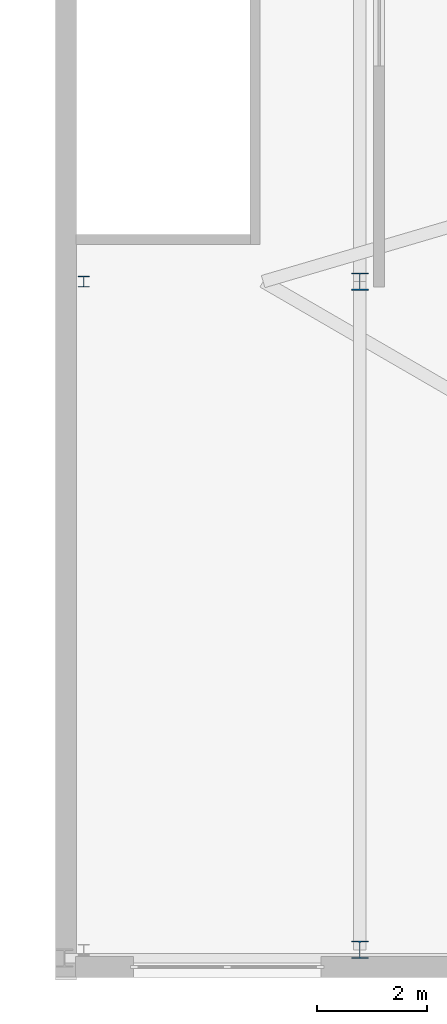
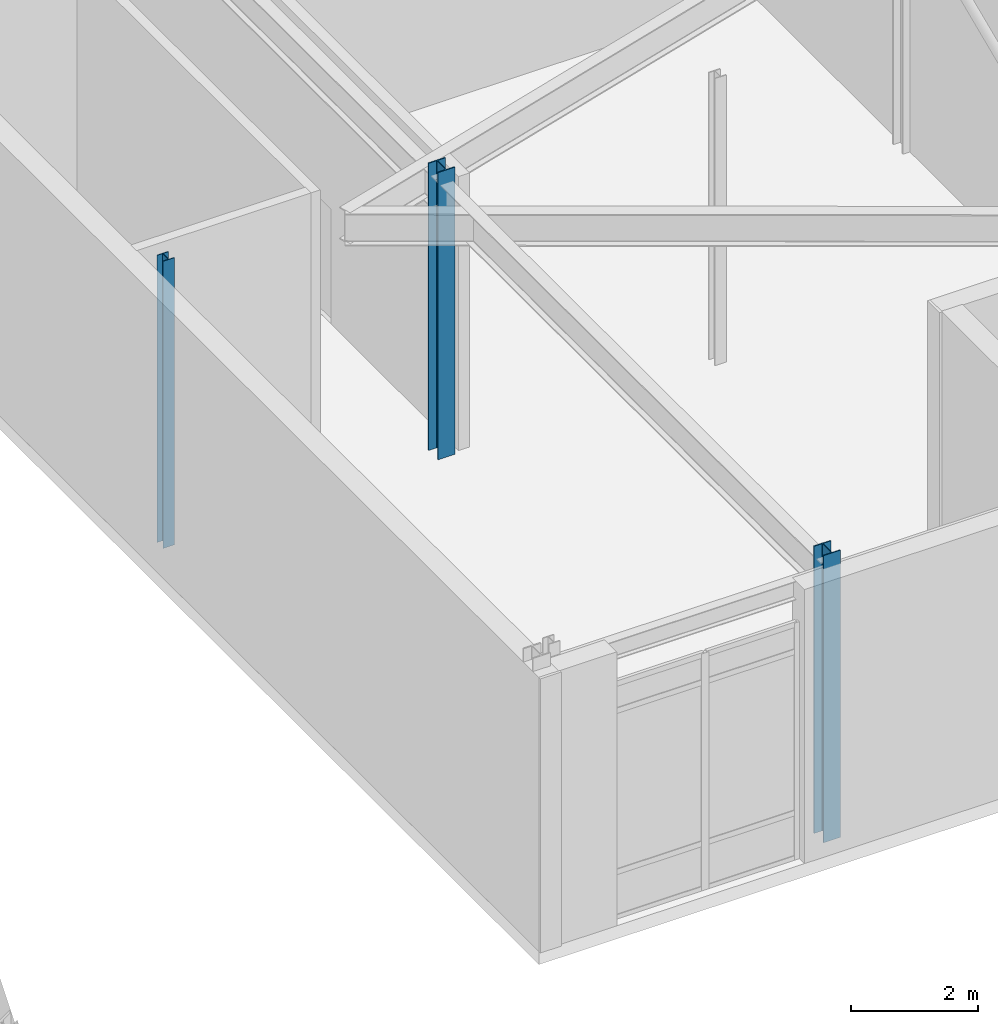
# One storey, part 2 of 14: 3 columns.
"""IFC4 building model written with IfcOpenShell, lengths in metres."""

from ifc_helpers import new_model, si_unit, direction, frame, origin, origin_2d, place, context, subcontext, project, spatial, i_section, extrude, material, material_profile, profile_set, type_object, element, save


model = new_model("IFC4")

# Units and contexts
model_context = context("Model", 3, precision=1e-05, world=origin(), true_north=direction((0.0, 1.0)))
body_context = subcontext(model_context, "Body", "Model", "MODEL_VIEW")
ifc_project = project(units=[si_unit("LENGTHUNIT", "METRE"), si_unit("AREAUNIT", "SQUARE_METRE"), si_unit("VOLUMEUNIT", "CUBIC_METRE"), si_unit("PLANEANGLEUNIT", "RADIAN"), si_unit("MASSUNIT", "GRAM", prefix="KILO")], contexts=[model_context])

# Site, building, storey
site_placement = place(None, origin())
site = spatial("IfcSite", under=ifc_project, at=site_placement, CompositionType="ELEMENT")
building_placement = place(site_placement, origin())
building = spatial("IfcBuilding", under=site, at=building_placement, Name="Cairnveth Concourse Tower", CompositionType="ELEMENT")
storey_placement = place(building_placement, frame((0.0, 0.0, 330.0)))
storey = spatial("IfcBuildingStorey", under=building, at=storey_placement, Name="L90", CompositionType="ELEMENT", Elevation=330.0)

# Columns
ifc_material = material(Name="Steel Grade 350", Category="steel")
ifc_material_profile_1 = material_profile(ifc_material, i_section(OverallWidth=0.202880859375, OverallDepth=0.202880859375, WebThickness=0.00927734375, FlangeThickness=0.01416015625, FilletRadius=0.010009765625, at=origin_2d()), Name="200UC59.5")
ifc_profile_set_1 = profile_set([ifc_material_profile_1], Name="Steel Grade 350")
column_type_1 = type_object("IfcColumnType", Name="PILASTER STEEL COLUMN 200UC59.5", PredefinedType="PILASTER", material=ifc_profile_set_1)
column_placement = place(storey_placement, frame((57.14990234375, 30.60009765625, 0.0), z_axis=(0.0, 0.0, 1.0), x_axis=(1.0, 0.0, 0.0)))
element("IfcColumn", 1, at=column_placement, inside=storey, type_object=column_type_1, Name="Column CRL-E2 L90", PredefinedType="PILASTER", context=body_context, shape_type="SweptSolid", body=[
    extrude(i_section(OverallWidth=0.202880859375, OverallDepth=0.202880859375, WebThickness=0.00927734375, FlangeThickness=0.01416015625, FilletRadius=0.010009765625, at=origin_2d()), origin(), (0.0, 0.0, 1.0), 5.5),
])
ifc_material_profile_2 = material_profile(ifc_material, i_section(OverallWidth=0.306884765625, OverallDepth=0.31494140625, WebThickness=0.011962890625, FlangeThickness=0.018798828125, FilletRadius=0.01611328125, at=origin_2d()), Name="310UC118")
ifc_profile_set_2 = profile_set([ifc_material_profile_2], Name="Steel Grade 350")
column_type_2 = type_object("IfcColumnType", Name="UNIVERSAL STEEL COLUMN 310UC118", PredefinedType="COLUMN", material=ifc_profile_set_2)
for number, where, z_axis, x_axis, name in (
    (2, (62.14990234375, 18.5, 0.0), (0.0, 0.0, 1.0), (1.0, 0.0, 0.0), "Column CRM-E1 L90"),
    (3, (62.14990234375, 30.60009765625, 0.0), (0.0, 0.0, 1.0), (1.0, 0.0, 0.0), "Column CRM-E2 L90"),
):
    element("IfcColumn", number, at=place(storey_placement, frame(where, z_axis=z_axis, x_axis=x_axis)), inside=storey, type_object=column_type_2, Name=name, PredefinedType="COLUMN", context=body_context, shape_type="SweptSolid", body=[
        extrude(i_section(OverallWidth=0.306884765625, OverallDepth=0.31494140625, WebThickness=0.011962890625, FlangeThickness=0.018798828125, FilletRadius=0.01611328125, at=origin_2d()), origin(), (0.0, 0.0, 1.0), 5.5),
    ])

save(model, "model.ifc")
